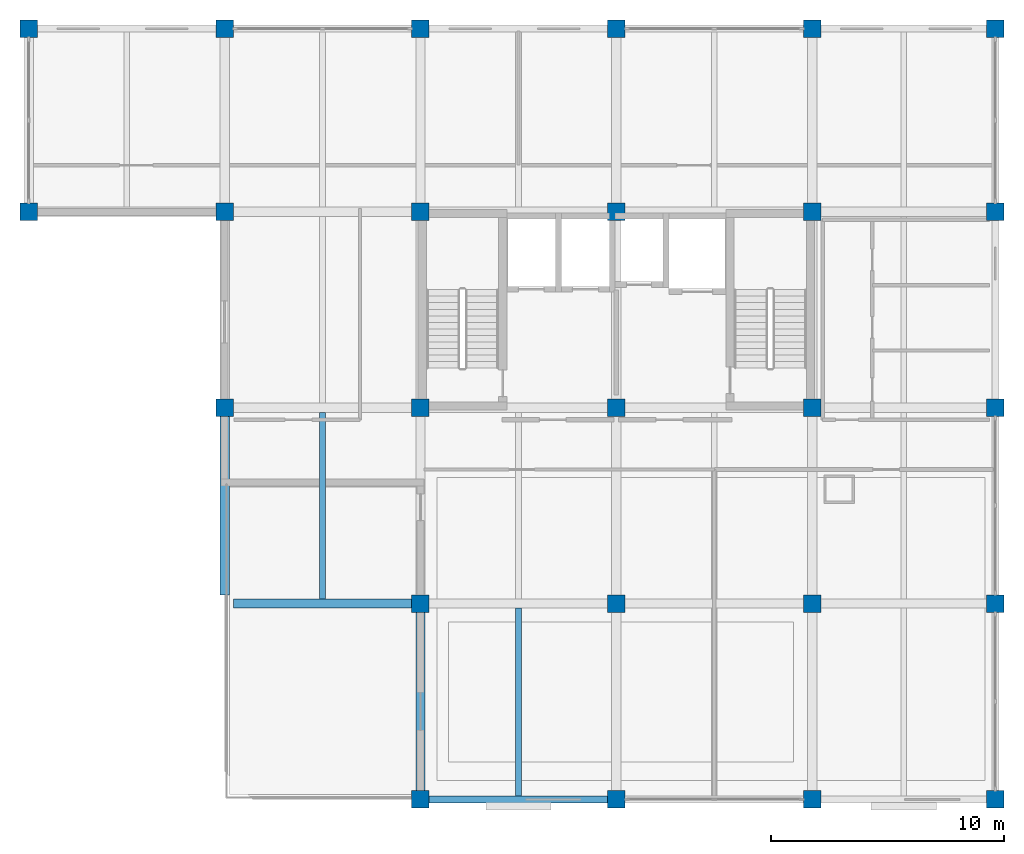
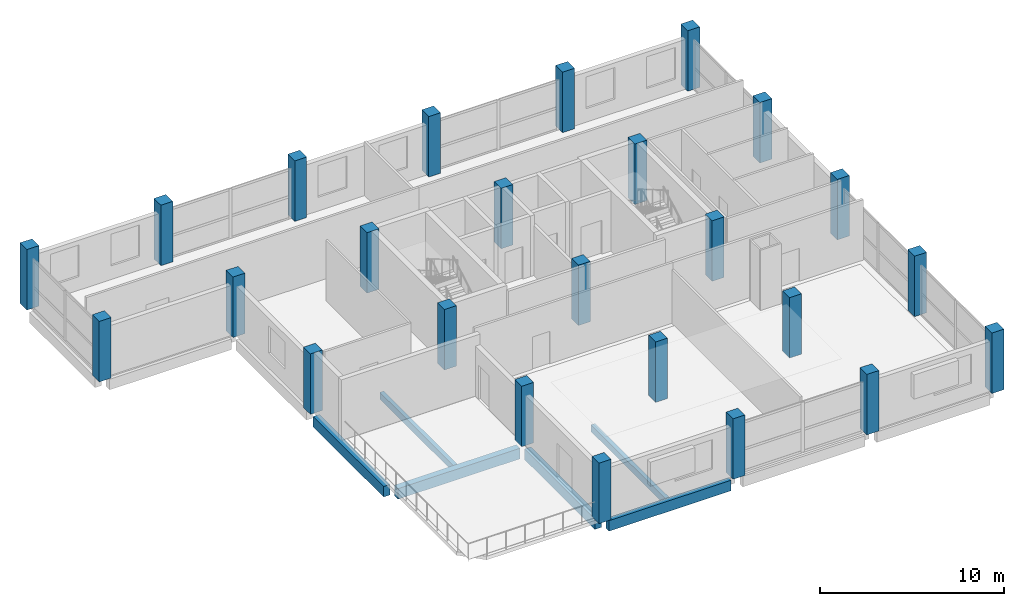
# One storey, part 1 of 10: 25 columns, 6 beams.
"""IFC4 building model written with IfcOpenShell, lengths in metres."""

from ifc_helpers import new_model, si_unit, direction, frame, origin, origin_2d, place, context, subcontext, project, spatial, rectangle, extrude, material, material_profile, profile_set, type_object, element, save


model = new_model("IFC4")

# Units and contexts
model_context = context("Model", 3, precision=1e-05, world=origin(), true_north=direction((0.0, 1.0)))
body_context = subcontext(model_context, "Body", "Model", "MODEL_VIEW")
ifc_project = project(units=[si_unit("LENGTHUNIT", "METRE"), si_unit("AREAUNIT", "SQUARE_METRE"), si_unit("VOLUMEUNIT", "CUBIC_METRE"), si_unit("PLANEANGLEUNIT", "RADIAN"), si_unit("MASSUNIT", "GRAM", prefix="KILO")], contexts=[model_context])

# Site, building, storey
site_placement = place(None, origin())
site = spatial("IfcSite", under=ifc_project, at=site_placement, CompositionType="ELEMENT")
building_placement = place(site_placement, origin())
building = spatial("IfcBuilding", under=site, at=building_placement, Name="Brinegate Botanical Conservatory", CompositionType="ELEMENT")
storey_placement = place(building_placement, frame((0.0, 0.0, 44.39990234375)))
storey = spatial("IfcBuildingStorey", under=building, at=storey_placement, Name="L11", CompositionType="ELEMENT", Elevation=44.39990234375)

# Columns
ifc_material = material(Name="Concrete C40/50", Category="concrete")
ifc_material_profile_1 = material_profile(ifc_material, rectangle(XDim=0.75, YDim=0.75, at=origin_2d()), Name="RC COL 750x750")
ifc_profile_set_1 = profile_set([ifc_material_profile_1], Name="Concrete C40/50")
column_type = type_object("IfcColumnType", Name="Col_C-T4", PredefinedType="COLUMN", material=ifc_profile_set_1)
for number, where, z_axis, x_axis, name in (
    (1, (122.0, 103.60009765625, 0.0), (0.0, 0.0, 1.0), (1.0, 0.0, 0.0), "Column C-T4 L11 N-16"),
    (2, (122.0, 111.449951171875, 0.0), (0.0, 0.0, 1.0), (1.0, 0.0, 0.0), "Column C-T4 L11 P-16"),
    (3, (130.39990234375, 95.199951171875, 0.0), (0.0, 0.0, 1.0), (1.0, 0.0, 0.0), "Column C-T4 L11 M-17"),
    (4, (130.39990234375, 103.60009765625, 0.0), (0.0, 0.0, 1.0), (1.0, 0.0, 0.0), "Column C-T4 L11 N-17"),
    (5, (130.39990234375, 111.449951171875, 0.0), (0.0, 0.0, 1.0), (1.0, 0.0, 0.0), "Column C-T4 L11 P-17"),
    (6, (138.800048828125, 78.39990234375, 0.0), (0.0, 0.0, 1.0), (1.0, 0.0, 0.0), "Column C-T4 L11 K-18"),
    (7, (138.800048828125, 86.800048828125, 0.0), (0.0, 0.0, 1.0), (1.0, 0.0, 0.0), "Column C-T4 L11 L-18"),
    (8, (138.800048828125, 95.199951171875, 0.0), (0.0, 0.0, 1.0), (1.0, 0.0, 0.0), "Column C-T4 L11 M-18"),
    (9, (138.800048828125, 103.60009765625, 0.0), (0.0, 0.0, 1.0), (1.0, 0.0, 0.0), "Column C-T4 L11 N-18"),
    (10, (138.800048828125, 111.449951171875, 0.0), (0.0, 0.0, 1.0), (1.0, 0.0, 0.0), "Column C-T4 L11 P-18"),
    (11, (147.199951171875, 78.39990234375, 0.0), (0.0, 0.0, 1.0), (1.0, 0.0, 0.0), "Column C-T4 L11 K-19"),
    (12, (147.199951171875, 86.800048828125, 0.0), (0.0, 0.0, 1.0), (1.0, 0.0, 0.0), "Column C-T4 L11 L-19"),
    (13, (147.199951171875, 95.199951171875, 0.0), (0.0, 0.0, 1.0), (1.0, 0.0, 0.0), "Column C-T4 L11 M-19"),
    (14, (147.199951171875, 103.60009765625, 0.0), (0.0, 0.0, 1.0), (1.0, 0.0, 0.0), "Column C-T4 L11 N-19"),
    (15, (147.199951171875, 111.449951171875, 0.0), (0.0, 0.0, 1.0), (1.0, 0.0, 0.0), "Column C-T4 L11 P-19"),
    (16, (155.60009765625, 78.39990234375, 0.0), (0.0, 0.0, 1.0), (1.0, 0.0, 0.0), "Column C-T4 L11 K-20"),
    (17, (155.60009765625, 86.800048828125, 0.0), (0.0, 0.0, 1.0), (1.0, 0.0, 0.0), "Column C-T4 L11 L-20"),
    (18, (155.60009765625, 95.199951171875, 0.0), (0.0, 0.0, 1.0), (1.0, 0.0, 0.0), "Column C-T4 L11 M-20"),
    (19, (155.60009765625, 103.60009765625, 0.0), (0.0, 0.0, 1.0), (1.0, 0.0, 0.0), "Column C-T4 L11 N-20"),
    (20, (155.60009765625, 111.449951171875, 0.0), (0.0, 0.0, 1.0), (1.0, 0.0, 0.0), "Column C-T4 L11 P-20"),
    (21, (163.449951171875, 78.39990234375, 0.0), (0.0, 0.0, 1.0), (1.0, 0.0, 0.0), "Column C-T4 L11 K-21"),
    (22, (163.449951171875, 86.800048828125, 0.0), (0.0, 0.0, 1.0), (1.0, 0.0, 0.0), "Column C-T4 L11 L-21"),
    (23, (163.449951171875, 95.199951171875, 0.0), (0.0, 0.0, 1.0), (1.0, 0.0, 0.0), "Column C-T4 L11 M-21"),
    (24, (163.449951171875, 103.60009765625, 0.0), (0.0, 0.0, 1.0), (1.0, 0.0, 0.0), "Column C-T4 L11 N-21"),
    (25, (163.449951171875, 111.449951171875, 0.0), (0.0, 0.0, 1.0), (1.0, 0.0, 0.0), "Column C-T4 L11 P-21"),
):
    element("IfcColumn", number, at=place(storey_placement, frame(where, z_axis=z_axis, x_axis=x_axis)), inside=storey, type_object=column_type, Name=name, PredefinedType="COLUMN", context=body_context, shape_type="SweptSolid", body=[
        extrude(rectangle(XDim=0.75, YDim=0.75, at=origin_2d()), origin(), (0.0, 0.0, 1.0), 4.010009765625),
    ])

# Beams
ifc_material_profile_2 = material_profile(ifc_material, rectangle(XDim=0.39990234375, YDim=0.699951171875, at=origin_2d()), Name="RC BM 400x700")
ifc_profile_set_2 = profile_set([ifc_material_profile_2], Name="Concrete C40/50")
beam_type_1 = type_object("IfcBeamType", Name="Beam_BM-T2", PredefinedType="BEAM", material=ifc_profile_set_2)
beam_1_placement = place(storey_placement, frame((130.77490234375, 86.800048828125, -0.5498046875), z_axis=(1.0, 0.0, 0.0), x_axis=(0.0, 1.0, 0.0)))
element("IfcBeam", 26, at=beam_1_placement, inside=storey, type_object=beam_type_1, Name="Beam BM-T2 L11 L:17-18", PredefinedType="BEAM", context=body_context, shape_type="SweptSolid", body=[
    extrude(rectangle(XDim=0.39990234375, YDim=0.699951171875, at=origin_2d()), origin(), (0.0, 0.0, 1.0), 7.650146484375),
])
beam_2_placement = place(storey_placement, frame((130.39990234375, 87.175048828125, -0.5498046875), z_axis=(0.0, 1.0, 0.0), x_axis=(-1.0, 0.0, 0.0)))
element("IfcBeam", 27, at=beam_2_placement, inside=storey, type_object=beam_type_1, Name="Beam BM-T2 L11 17:L-M", PredefinedType="BEAM", context=body_context, shape_type="SweptSolid", body=[
    extrude(rectangle(XDim=0.39990234375, YDim=0.699951171875, at=origin_2d()), origin(), (0.0, 0.0, 1.0), 7.64990234375),
])
beam_3_placement = place(storey_placement, frame((138.800048828125, 78.77490234375, -0.5498046875), z_axis=(0.0, 1.0, 0.0), x_axis=(-1.0, 0.0, 0.0)))
element("IfcBeam", 28, at=beam_3_placement, inside=storey, type_object=beam_type_1, Name="Beam BM-T2 L11 18:K-L", PredefinedType="BEAM", context=body_context, shape_type="SweptSolid", body=[
    extrude(rectangle(XDim=0.39990234375, YDim=0.699951171875, at=origin_2d()), origin(), (0.0, 0.0, 1.0), 7.650146484375),
])
ifc_material_profile_3 = material_profile(ifc_material, rectangle(XDim=0.25, YDim=0.449951171875, at=origin_2d()), Name="RC JST 250x450")
ifc_profile_set_3 = profile_set([ifc_material_profile_3], Name="Concrete C40/50")
beam_type_2 = type_object("IfcBeamType", Name="Beam_JS-C3", PredefinedType="JOIST", material=ifc_profile_set_3)
beam_4_placement = place(storey_placement, frame((134.60009765625, 87.0, -0.4248046875), z_axis=(0.0, 1.0, 0.0), x_axis=(-1.0, 0.0, 0.0)))
element("IfcBeam", 29, at=beam_4_placement, inside=storey, type_object=beam_type_2, Name="Floor joist JS-C3 L11 bay 17.11", PredefinedType="JOIST", context=body_context, shape_type="SweptSolid", body=[
    extrude(rectangle(XDim=0.25, YDim=0.449951171875, at=origin_2d()), origin(), (0.0, 0.0, 1.0), 8.0),
])
beam_5_placement = place(storey_placement, frame((143.0, 78.550048828125, -0.4248046875), z_axis=(0.0, 1.0, 0.0), x_axis=(-1.0, 0.0, 0.0)))
element("IfcBeam", 30, at=beam_5_placement, inside=storey, type_object=beam_type_2, Name="Floor joist JS-C3 L11 bay 18.10", PredefinedType="JOIST", context=body_context, shape_type="SweptSolid", body=[
    extrude(rectangle(XDim=0.25, YDim=0.449951171875, at=origin_2d()), origin(), (0.0, 0.0, 1.0), 8.050048828125),
])
ifc_material_profile_4 = material_profile(ifc_material, rectangle(XDim=0.300048828125, YDim=0.699951171875, at=origin_2d()), Name="RC SPN 300x700")
ifc_profile_set_4 = profile_set([ifc_material_profile_4], Name="Concrete C40/50")
beam_type_3 = type_object("IfcBeamType", Name="Beam_SP-02", PredefinedType="SPANDREL", material=ifc_profile_set_4)
beam_6_placement = place(storey_placement, frame((139.175048828125, 78.39990234375, -0.5498046875), z_axis=(1.0, 0.0, 0.0), x_axis=(0.0, 1.0, 0.0)))
element("IfcBeam", 31, at=beam_6_placement, inside=storey, type_object=beam_type_3, Name="Beam SP-02 L11 K:18-19", PredefinedType="SPANDREL", context=body_context, shape_type="SweptSolid", body=[
    extrude(rectangle(XDim=0.300048828125, YDim=0.699951171875, at=origin_2d()), origin(), (0.0, 0.0, 1.0), 7.64990234375),
])

save(model, "model.ifc")
